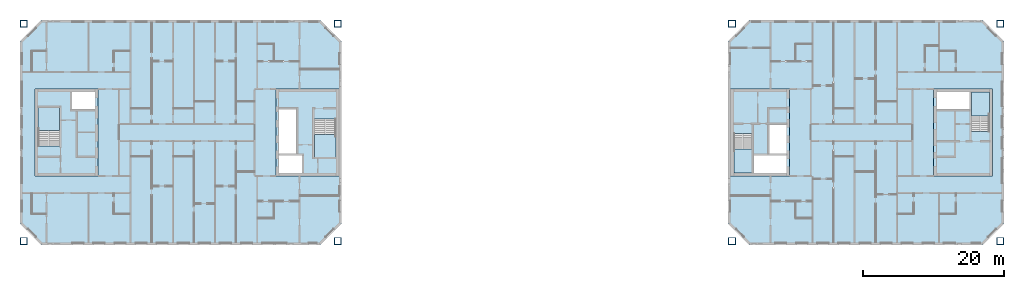
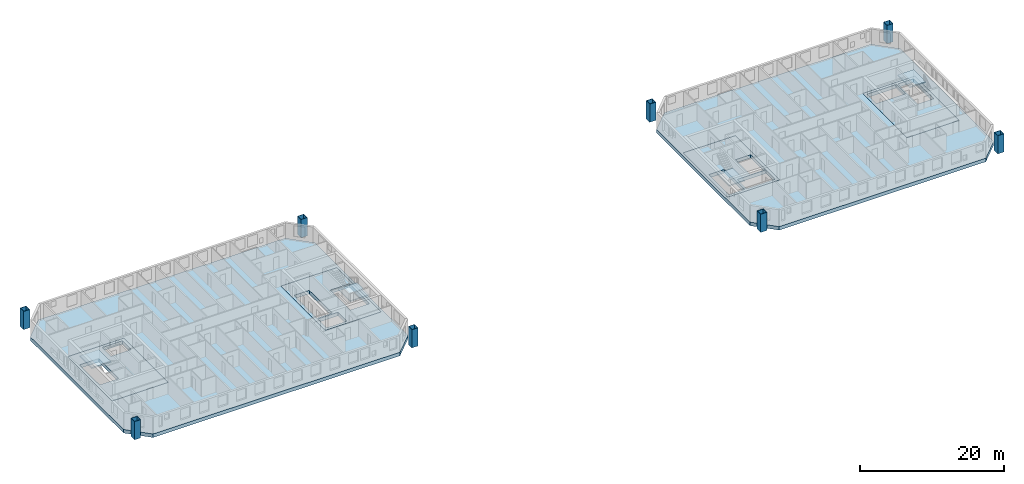
# One storey, part 1 of 16: 10 slabs, 8 columns, 4 elements without a shape of their own.
"""IFC4 building model written with IfcOpenShell, lengths in metres."""

from ifc_helpers import new_model, si_unit, direction, frame, origin, origin_2d, place, context, subcontext, project, spatial, polyline, hollow_rectangle, outline, extrude, material, layer, layer_set, material_profile, profile_set, type_object, element, aggregate, save


model = new_model("IFC4")

# Units and contexts
model_context = context("Model", 3, precision=1e-05, world=origin(), true_north=direction((0.0, 1.0)))
body_context = subcontext(model_context, "Body", "Model", "MODEL_VIEW")
ifc_project = project(units=[si_unit("LENGTHUNIT", "METRE"), si_unit("AREAUNIT", "SQUARE_METRE"), si_unit("VOLUMEUNIT", "CUBIC_METRE"), si_unit("PLANEANGLEUNIT", "RADIAN"), si_unit("MASSUNIT", "GRAM", prefix="KILO")], contexts=[model_context])

# Site, building, storey
site_placement = place(None, origin())
site = spatial("IfcSite", under=ifc_project, at=site_placement, CompositionType="ELEMENT")
building_placement = place(site_placement, origin())
building = spatial("IfcBuilding", under=site, at=building_placement, Name="Tuart Gate Housing", CompositionType="ELEMENT")
storey_placement = place(building_placement, frame((0.0, 0.0, 175.800048828125)))
storey = spatial("IfcBuildingStorey", under=building, at=storey_placement, Name="L49", CompositionType="ELEMENT", Elevation=175.800048828125)

# Columns
ifc_material_1 = material(Name="Steel Grade 350", Category="steel")
ifc_material_profile = material_profile(ifc_material_1, hollow_rectangle(XDim=1.0, YDim=1.0, WallThickness=0.054931640625, at=origin_2d()), Name="BOX 1000x1000x55")
ifc_profile_set = profile_set([ifc_material_profile], Name="Steel Grade 350")
column_type = type_object("IfcColumnType", Name="Mega column BOX 1000x1000x55", PredefinedType="COLUMN", material=ifc_profile_set)
for number, where, z_axis, x_axis, name in (
    (1, (30.800048828125, 54.550048828125, 0.0), (0.0, 0.0, 1.0), (1.0, 0.0, 0.0), "Mega column A south-west L49"),
    (2, (75.449951171875, 54.550048828125, 0.0), (0.0, 0.0, 1.0), (1.0, 0.0, 0.0), "Mega column A south-east L49"),
    (3, (75.449951171875, 85.449951171875, 0.0), (0.0, 0.0, 1.0), (1.0, 0.0, 0.0), "Mega column A north-east L49"),
    (4, (30.800048828125, 85.449951171875, 0.0), (0.0, 0.0, 1.0), (1.0, 0.0, 0.0), "Mega column A north-west L49"),
    (5, (131.550048828125, 54.550048828125, 0.0), (0.0, 0.0, 1.0), (1.0, 0.0, 0.0), "Mega column B south-west L49"),
    (6, (169.699951171875, 54.550048828125, 0.0), (0.0, 0.0, 1.0), (1.0, 0.0, 0.0), "Mega column B south-east L49"),
    (7, (169.699951171875, 85.449951171875, 0.0), (0.0, 0.0, 1.0), (1.0, 0.0, 0.0), "Mega column B north-east L49"),
    (8, (131.550048828125, 85.449951171875, 0.0), (0.0, 0.0, 1.0), (1.0, 0.0, 0.0), "Mega column B north-west L49"),
):
    element("IfcColumn", number, at=place(storey_placement, frame(where, z_axis=z_axis, x_axis=x_axis)), inside=storey, type_object=column_type, Name=name, PredefinedType="COLUMN", context=body_context, shape_type="SweptSolid", body=[
        extrude(hollow_rectangle(XDim=1.0, YDim=1.0, WallThickness=0.054931640625, at=origin_2d()), origin(), (0.0, 0.0, 1.0), 3.099853515625),
    ])

# Slabs
ifc_material_2 = material(Name="Concrete C40", Category="concrete")
ifc_layer_1 = layer(ifc_material_2, 0.60009765625)
ifc_layer_set_1 = layer_set([ifc_layer_1], Name="Core floor slab 600")
slab_type_1 = type_object("IfcSlabType", Name="Core floor slab 600", PredefinedType="FLOOR", material=ifc_layer_set_1)
slab_1_placement = place(storey_placement, frame((0.0, 0.0, -0.60009765625)))
element("IfcSlab", 9, at=slab_1_placement, inside=storey, type_object=slab_type_1, Name="Core floor AG", PredefinedType="FLOOR", context=body_context, shape_type="SweptSolid", body=[
    extrude(outline(polyline([(66.639892578125, 63.800048828125), (75.639892578125, 63.800048828125), (75.639892578125, 76.199951171875), (66.639892578125, 76.199951171875), (66.639892578125, 63.800048828125)]), holes=[polyline([(67.090087890625, 64.25), (70.385009765625, 64.25), (70.385009765625, 66.72509765625), (67.090087890625, 66.72509765625), (67.090087890625, 64.25)]), polyline([(67.090087890625, 66.97509765625), (69.56494140625, 66.97509765625), (69.56494140625, 73.324951171875), (67.090087890625, 73.324951171875), (67.090087890625, 66.97509765625)]), polyline([(72.114990234375, 66.35009765625), (75.18994140625, 66.35009765625), (75.18994140625, 71.929931640625), (72.114990234375, 71.929931640625), (72.114990234375, 66.35009765625)])]), origin(), (0.0, 0.0, 1.0), 0.60009765625),
])
slab_2_placement = place(storey_placement, frame((0.0, 0.0, -0.60009765625)))
element("IfcSlab", 10, at=slab_2_placement, inside=storey, type_object=slab_type_1, Name="Core floor AK", PredefinedType="FLOOR", context=body_context, shape_type="SweptSolid", body=[
    extrude(outline(polyline([(32.360107421875, 63.800048828125), (41.360107421875, 63.800048828125), (41.360107421875, 76.199951171875), (32.360107421875, 76.199951171875), (32.360107421875, 63.800048828125)]), holes=[polyline([(40.909912109375, 75.75), (37.614990234375, 75.75), (37.614990234375, 73.27490234375), (40.909912109375, 73.27490234375), (40.909912109375, 75.75)]), polyline([(35.885009765625, 73.64990234375), (32.81005859375, 73.64990234375), (32.81005859375, 68.070068359375), (35.885009765625, 68.070068359375), (35.885009765625, 73.64990234375)])]), origin(), (0.0, 0.0, 1.0), 0.60009765625),
])
slab_3_placement = place(storey_placement, frame((0.0, 0.0, -0.60009765625)))
element("IfcSlab", 11, at=slab_3_placement, inside=storey, type_object=slab_type_1, Name="Core floor BG", PredefinedType="FLOOR", context=body_context, shape_type="SweptSolid", body=[
    extrude(outline(polyline([(131.360107421875, 63.800048828125), (139.760009765625, 63.800048828125), (139.760009765625, 76.199951171875), (131.360107421875, 76.199951171875), (131.360107421875, 63.800048828125)]), holes=[polyline([(139.31005859375, 66.85009765625), (134.635009765625, 66.85009765625), (134.635009765625, 64.25), (139.31005859375, 64.25), (139.31005859375, 66.85009765625)]), polyline([(139.31005859375, 71.125), (136.8349609375, 71.125), (136.8349609375, 66.97509765625), (139.31005859375, 66.97509765625), (139.31005859375, 71.125)]), polyline([(134.385009765625, 69.85498046875), (131.81005859375, 69.85498046875), (131.81005859375, 64.25), (134.385009765625, 64.25), (134.385009765625, 69.85498046875)])]), origin(), (0.0, 0.0, 1.0), 0.60009765625),
])
slab_4_placement = place(storey_placement, frame((0.0, 0.0, -0.60009765625)))
element("IfcSlab", 12, at=slab_4_placement, inside=storey, type_object=slab_type_1, Name="Core floor BK", PredefinedType="FLOOR", context=body_context, shape_type="SweptSolid", body=[
    extrude(outline(polyline([(160.239990234375, 63.800048828125), (168.639892578125, 63.800048828125), (168.639892578125, 76.199951171875), (160.239990234375, 76.199951171875), (160.239990234375, 63.800048828125)]), holes=[polyline([(160.68994140625, 73.14990234375), (165.364990234375, 73.14990234375), (165.364990234375, 75.75), (160.68994140625, 75.75), (160.68994140625, 73.14990234375)]), polyline([(165.614990234375, 70.14501953125), (168.18994140625, 70.14501953125), (168.18994140625, 75.75), (165.614990234375, 75.75), (165.614990234375, 70.14501953125)])]), origin(), (0.0, 0.0, 1.0), 0.60009765625),
])

# Stair, slab
ifc_material_3 = material(Name="Concrete C40", Category="concrete")
stair_type_1 = type_object("IfcStairType", Name="Core stair 1500", PredefinedType="HALF_TURN_STAIR", material=ifc_material_3)
stair_1_placement = place(storey_placement, origin())
stair_1 = element("IfcStair", 13, at=stair_1_placement, inside=storey, type_object=stair_type_1, Name="Stair SA1", PredefinedType="HALF_TURN_STAIR")
ifc_material_4 = material(Name="Concrete C40", Category="concrete")
ifc_layer_2 = layer(ifc_material_4, 0.199951171875)
ifc_layer_set_2 = layer_set([ifc_layer_2], Name="Stair landing 200")
slab_type_2 = type_object("IfcSlabType", Name="Stair landing 200", PredefinedType="LANDING", material=ifc_layer_set_2)
slab_5_placement = place(storey_placement, frame((0.0, 0.0, 1.349853515625)))
slab_5 = element("IfcSlab", 14, at=slab_5_placement, type_object=slab_type_2, Name="SA1 landing 1", PredefinedType="LANDING", context=body_context, shape_type="SweptSolid", body=[
    extrude(outline(polyline([(72.114990234375, 66.35009765625), (75.18994140625, 66.35009765625), (75.18994140625, 69.7099609375), (72.114990234375, 69.7099609375), (72.114990234375, 66.35009765625)])), origin(), (0.0, 0.0, 1.0), 0.2001953125),
])
aggregate(stair_1, [slab_5])

stair_2_placement = place(storey_placement, origin())
stair_2 = element("IfcStair", 15, at=stair_2_placement, inside=storey, type_object=stair_type_1, Name="Stair SA2", PredefinedType="HALF_TURN_STAIR")
slab_6_placement = place(storey_placement, frame((0.0, 0.0, 1.349853515625)))
slab_6 = element("IfcSlab", 16, at=slab_6_placement, type_object=slab_type_2, Name="SA2 landing 1", PredefinedType="LANDING", context=body_context, shape_type="SweptSolid", body=[
    extrude(outline(polyline([(35.885009765625, 73.64990234375), (32.81005859375, 73.64990234375), (32.81005859375, 70.2900390625), (35.885009765625, 70.2900390625), (35.885009765625, 73.64990234375)])), origin(), (0.0, 0.0, 1.0), 0.2001953125),
])
aggregate(stair_2, [slab_6])

ifc_material_5 = material(Name="Concrete C40", Category="concrete")
stair_type_2 = type_object("IfcStairType", Name="Core stair 1250", PredefinedType="HALF_TURN_STAIR", material=ifc_material_5)
stair_3_placement = place(storey_placement, origin())
stair_3 = element("IfcStair", 17, at=stair_3_placement, inside=storey, type_object=stair_type_2, Name="Stair SB1", PredefinedType="HALF_TURN_STAIR")
slab_7_placement = place(storey_placement, frame((0.0, 0.0, 1.349853515625)))
slab_7 = element("IfcSlab", 18, at=slab_7_placement, type_object=slab_type_2, Name="SB1 landing 1", PredefinedType="LANDING", context=body_context, shape_type="SweptSolid", body=[
    extrude(outline(polyline([(134.385009765625, 67.635009765625), (131.81005859375, 67.635009765625), (131.81005859375, 64.25), (134.385009765625, 64.25), (134.385009765625, 67.635009765625)])), origin(), (0.0, 0.0, 1.0), 0.2001953125),
])
aggregate(stair_3, [slab_7])

stair_4_placement = place(storey_placement, origin())
stair_4 = element("IfcStair", 19, at=stair_4_placement, inside=storey, type_object=stair_type_2, Name="Stair SB2", PredefinedType="HALF_TURN_STAIR")
slab_8_placement = place(storey_placement, frame((0.0, 0.0, 1.349853515625)))
slab_8 = element("IfcSlab", 20, at=slab_8_placement, type_object=slab_type_2, Name="SB2 landing 1", PredefinedType="LANDING", context=body_context, shape_type="SweptSolid", body=[
    extrude(outline(polyline([(165.614990234375, 72.364990234375), (168.18994140625, 72.364990234375), (168.18994140625, 75.75), (165.614990234375, 75.75), (165.614990234375, 72.364990234375)])), origin(), (0.0, 0.0, 1.0), 0.2001953125),
])
aggregate(stair_4, [slab_8])

# Slabs
ifc_material_6 = material(Name="Concrete C40", Category="concrete")
ifc_layer_3 = layer(ifc_material_6, 0.60009765625)
ifc_layer_set_3 = layer_set([ifc_layer_3], Name="Transfer plate 600")
slab_type_3 = type_object("IfcSlabType", Name="Transfer plate 600", PredefinedType="FLOOR", material=ifc_layer_set_3)
slab_9_placement = place(storey_placement, frame((0.0, 0.0, -0.60009765625)))
element("IfcSlab", 21, at=slab_9_placement, inside=storey, type_object=slab_type_3, Name="Floor slab A L49", PredefinedType="FLOOR", context=body_context, shape_type="SweptSolid", body=[
    extrude(outline(polyline([(33.25, 86.0), (30.25, 83.0), (30.25, 57.0), (33.25, 54.0), (73.0, 54.0), (76.0, 57.0), (76.0, 83.0), (73.0, 86.0), (33.25, 86.0)]), holes=[polyline([(66.639892578125, 76.199951171875), (75.639892578125, 76.199951171875), (75.639892578125, 63.800048828125), (66.639892578125, 63.800048828125), (66.639892578125, 76.199951171875)]), polyline([(41.360107421875, 76.199951171875), (41.360107421875, 63.800048828125), (32.360107421875, 63.800048828125), (32.360107421875, 76.199951171875), (41.360107421875, 76.199951171875)])]), origin(), (0.0, 0.0, 1.0), 0.60009765625),
])
slab_10_placement = place(storey_placement, frame((0.0, 0.0, -0.60009765625)))
element("IfcSlab", 22, at=slab_10_placement, inside=storey, type_object=slab_type_3, Name="Floor slab B L49", PredefinedType="FLOOR", context=body_context, shape_type="SweptSolid", body=[
    extrude(outline(polyline([(134.0, 86.0), (131.0, 83.0), (131.0, 57.0), (134.0, 54.0), (167.25, 54.0), (170.25, 57.0), (170.25, 83.0), (167.25, 86.0), (134.0, 86.0)]), holes=[polyline([(131.360107421875, 76.199951171875), (139.760009765625, 76.199951171875), (139.760009765625, 63.800048828125), (131.360107421875, 63.800048828125), (131.360107421875, 76.199951171875)]), polyline([(168.639892578125, 76.199951171875), (168.639892578125, 63.800048828125), (160.239990234375, 63.800048828125), (160.239990234375, 76.199951171875), (168.639892578125, 76.199951171875)])]), origin(), (0.0, 0.0, 1.0), 0.60009765625),
])

save(model, "model.ifc")
